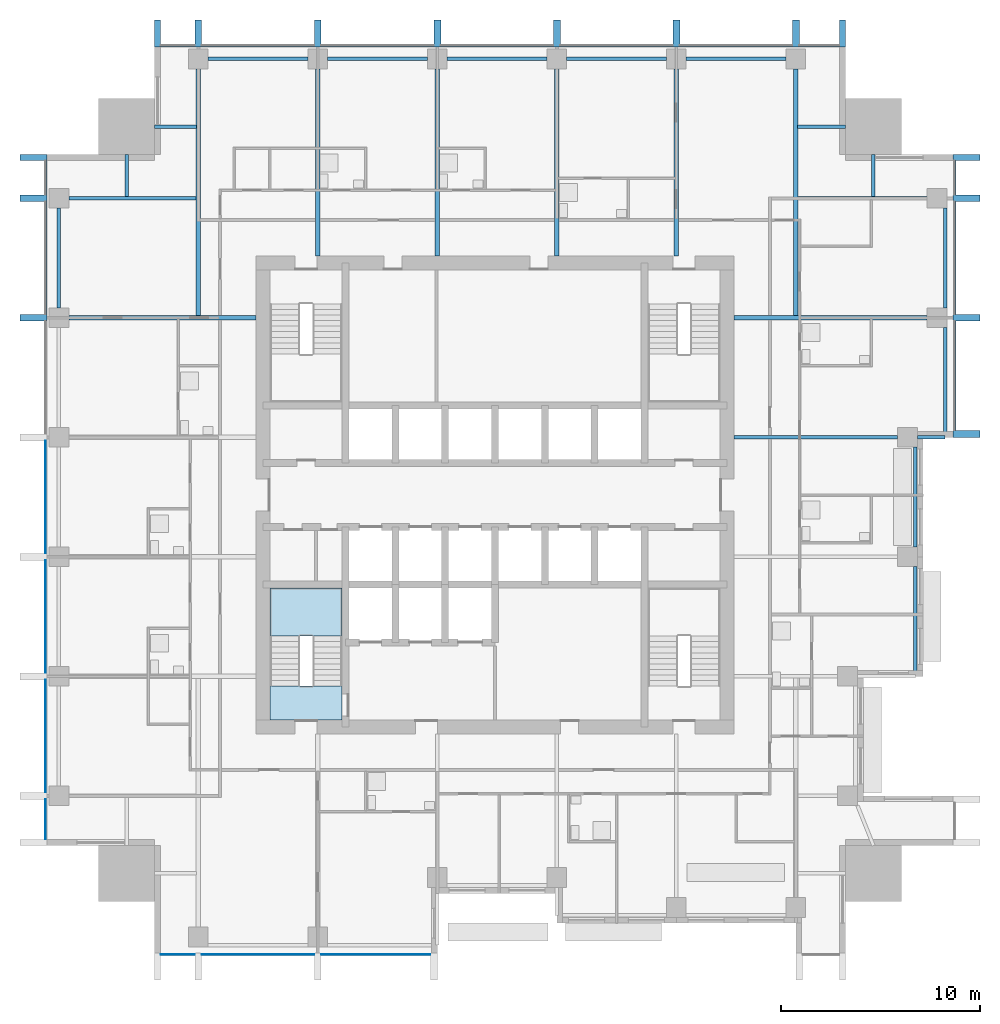
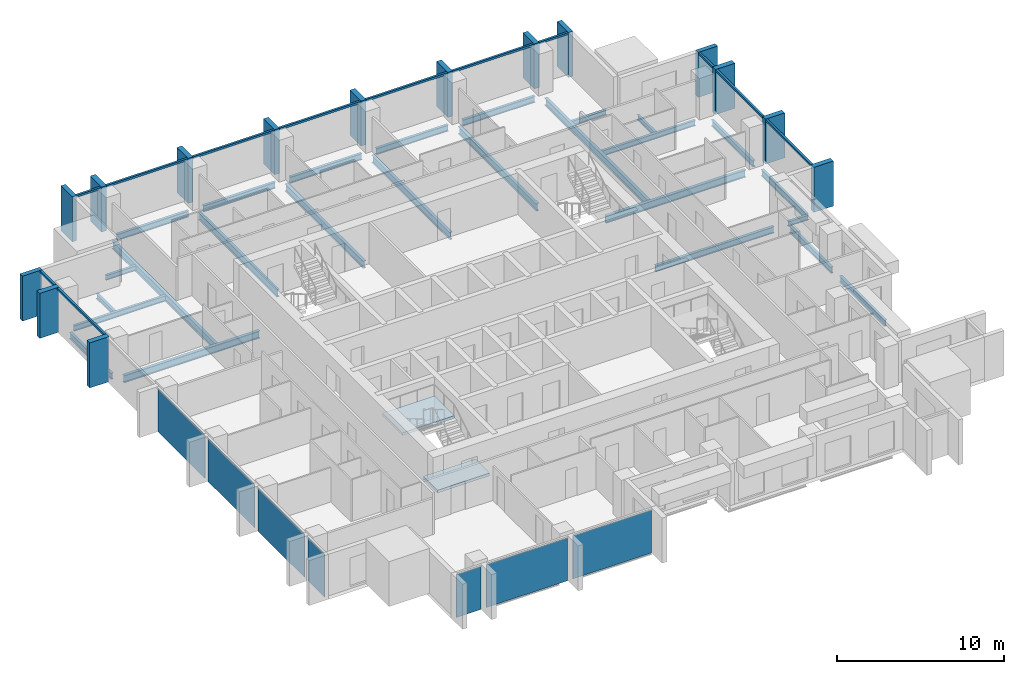
# One storey, part 2 of 10: 27 members, 26 beams, 7 plates, 2 slabs, 5 elements without a shape of their own.
"""IFC4 building model written with IfcOpenShell, lengths in metres."""

from ifc_helpers import new_model, si_unit, direction, frame, origin, origin_2d, place, context, subcontext, project, spatial, polyline, rectangle, i_section, outline, extrude, material, layer, layer_set, material_profile, profile_set, type_object, element, aggregate, save


model = new_model("IFC4")

# Units and contexts
model_context = context("Model", 3, precision=1e-05, world=origin(), true_north=direction((0.0, 1.0)))
body_context = subcontext(model_context, "Body", "Model", "MODEL_VIEW")
ifc_project = project(units=[si_unit("LENGTHUNIT", "METRE"), si_unit("AREAUNIT", "SQUARE_METRE"), si_unit("VOLUMEUNIT", "CUBIC_METRE"), si_unit("PLANEANGLEUNIT", "RADIAN"), si_unit("MASSUNIT", "GRAM", prefix="KILO")], contexts=[model_context])

# Site, building, storey
site_placement = place(None, origin())
site = spatial("IfcSite", under=ifc_project, at=site_placement, CompositionType="ELEMENT")
building_placement = place(site_placement, origin())
building = spatial("IfcBuilding", under=site, at=building_placement, Name="Amberfall Residences", CompositionType="ELEMENT")
storey_placement = place(building_placement, frame((0.0, 0.0, 140.5)))
storey = spatial("IfcBuildingStorey", under=building, at=storey_placement, Name="L37", CompositionType="ELEMENT", Elevation=140.5)

# Curtain wall, members
ifc_material_1 = material(Name="Bronze anodised aluminium and glass", Category="aluminium")
curtain_wall_type = type_object("IfcCurtainWallType", Name="Curtain wall CW1 tower unit", PredefinedType="USERDEFINED", material=ifc_material_1)
curtain_wall_1_placement = place(storey_placement, origin())
curtain_wall_1 = element("IfcCurtainWall", 1, at=curtain_wall_1_placement, inside=storey, type_object=curtain_wall_type, Name="Curtain wall L37 E E8", ObjectType="UNITISED CURTAIN WALL", PredefinedType="USERDEFINED")
ifc_material_2 = material(Name="Bronze anodised aluminium", Category="aluminium")
ifc_material_profile_1 = material_profile(ifc_material_2, rectangle(XDim=0.14990234375, YDim=0.14990234375, at=origin_2d()), Name="CW1 transom 150 x 150 bronze")
ifc_profile_set_1 = profile_set([ifc_material_profile_1], Name="Bronze anodised aluminium")
member_type_1 = type_object("IfcMemberType", Name="CW1 transom 150 x 150 bronze", PredefinedType="USERDEFINED", material=ifc_profile_set_1)
member_1_placement = place(storey_placement, frame((97.574951171875, 48.75, 2.97509765625), z_axis=(0.0, 1.0, 0.0), x_axis=(-1.0, 0.0, 0.0)))
member_1 = element("IfcMember", 2, at=member_1_placement, type_object=member_type_1, Name="CW1 transom 1.1", ObjectType="TRANSOM", PredefinedType="USERDEFINED", context=body_context, shape_type="SweptSolid", body=[
    extrude(rectangle(XDim=0.14990234375, YDim=0.14990234375, at=origin_2d()), origin(), (0.0, 0.0, 1.0), 5.47509765625),
])
member_2_placement = place(storey_placement, frame((97.574951171875, 54.574951171875, 2.97509765625), z_axis=(0.0, 1.0, 0.0), x_axis=(-1.0, 0.0, 0.0)))
member_2 = element("IfcMember", 3, at=member_2_placement, type_object=member_type_1, Name="CW1 transom 2.1", ObjectType="TRANSOM", PredefinedType="USERDEFINED", context=body_context, shape_type="SweptSolid", body=[
    extrude(rectangle(XDim=0.14990234375, YDim=0.14990234375, at=origin_2d()), origin(), (0.0, 0.0, 1.0), 5.650146484375),
])
member_3_placement = place(storey_placement, frame((97.574951171875, 60.574951171875, 2.97509765625), z_axis=(0.0, 1.0, 0.0), x_axis=(-1.0, 0.0, 0.0)))
member_3 = element("IfcMember", 4, at=member_3_placement, type_object=member_type_1, Name="CW1 transom 3.1", ObjectType="TRANSOM", PredefinedType="USERDEFINED", context=body_context, shape_type="SweptSolid", body=[
    extrude(rectangle(XDim=0.14990234375, YDim=0.14990234375, at=origin_2d()), origin(), (0.0, 0.0, 1.0), 1.72509765625),
])

curtain_wall_2_placement = place(storey_placement, origin())
curtain_wall_2 = element("IfcCurtainWall", 5, at=curtain_wall_2_placement, inside=storey, type_object=curtain_wall_type, Name="Curtain wall L37 N N1", ObjectType="UNITISED CURTAIN WALL", PredefinedType="USERDEFINED")
member_4_placement = place(storey_placement, frame((91.800048828125, 68.074951171875, 2.97509765625), z_axis=(-1.0, 0.0, 0.0), x_axis=(0.0, -1.0, 0.0)))
member_4 = element("IfcMember", 6, at=member_4_placement, type_object=member_type_1, Name="CW1 transom 1.1", ObjectType="TRANSOM", PredefinedType="USERDEFINED", context=body_context, shape_type="SweptSolid", body=[
    extrude(rectangle(XDim=0.14990234375, YDim=0.14990234375, at=origin_2d()), origin(), (0.0, 0.0, 1.0), 2.025146484375),
])
member_5_placement = place(storey_placement, frame((89.425048828125, 68.074951171875, 2.97509765625), z_axis=(-1.0, 0.0, 0.0), x_axis=(0.0, -1.0, 0.0)))
member_5 = element("IfcMember", 7, at=member_5_placement, type_object=member_type_1, Name="CW1 transom 2.1", ObjectType="TRANSOM", PredefinedType="USERDEFINED", context=body_context, shape_type="SweptSolid", body=[
    extrude(rectangle(XDim=0.14990234375, YDim=0.14990234375, at=origin_2d()), origin(), (0.0, 0.0, 1.0), 5.650146484375),
])
member_6_placement = place(storey_placement, frame((83.425048828125, 68.074951171875, 2.97509765625), z_axis=(-1.0, 0.0, 0.0), x_axis=(0.0, -1.0, 0.0)))
member_6 = element("IfcMember", 8, at=member_6_placement, type_object=member_type_1, Name="CW1 transom 3.1", ObjectType="TRANSOM", PredefinedType="USERDEFINED", context=body_context, shape_type="SweptSolid", body=[
    extrude(rectangle(XDim=0.14990234375, YDim=0.14990234375, at=origin_2d()), origin(), (0.0, 0.0, 1.0), 5.650146484375),
])
member_7_placement = place(storey_placement, frame((77.425048828125, 68.074951171875, 2.97509765625), z_axis=(-1.0, 0.0, 0.0), x_axis=(0.0, -1.0, 0.0)))
member_7 = element("IfcMember", 9, at=member_7_placement, type_object=member_type_1, Name="CW1 transom 4.1", ObjectType="TRANSOM", PredefinedType="USERDEFINED", context=body_context, shape_type="SweptSolid", body=[
    extrude(rectangle(XDim=0.14990234375, YDim=0.14990234375, at=origin_2d()), origin(), (0.0, 0.0, 1.0), 5.650146484375),
])
member_8_placement = place(storey_placement, frame((71.425048828125, 68.074951171875, 2.97509765625), z_axis=(-1.0, 0.0, 0.0), x_axis=(0.0, -1.0, 0.0)))
member_8 = element("IfcMember", 10, at=member_8_placement, type_object=member_type_1, Name="CW1 transom 5.1", ObjectType="TRANSOM", PredefinedType="USERDEFINED", context=body_context, shape_type="SweptSolid", body=[
    extrude(rectangle(XDim=0.14990234375, YDim=0.14990234375, at=origin_2d()), origin(), (0.0, 0.0, 1.0), 5.650146484375),
])
member_9_placement = place(storey_placement, frame((65.425048828125, 68.074951171875, 2.97509765625), z_axis=(-1.0, 0.0, 0.0), x_axis=(0.0, -1.0, 0.0)))
member_9 = element("IfcMember", 11, at=member_9_placement, type_object=member_type_1, Name="CW1 transom 6.1", ObjectType="TRANSOM", PredefinedType="USERDEFINED", context=body_context, shape_type="SweptSolid", body=[
    extrude(rectangle(XDim=0.14990234375, YDim=0.14990234375, at=origin_2d()), origin(), (0.0, 0.0, 1.0), 5.650146484375),
])
member_10_placement = place(storey_placement, frame((59.425048828125, 68.074951171875, 2.97509765625), z_axis=(-1.0, 0.0, 0.0), x_axis=(0.0, -1.0, 0.0)))
member_10 = element("IfcMember", 12, at=member_10_placement, type_object=member_type_1, Name="CW1 transom 7.1", ObjectType="TRANSOM", PredefinedType="USERDEFINED", context=body_context, shape_type="SweptSolid", body=[
    extrude(rectangle(XDim=0.14990234375, YDim=0.14990234375, at=origin_2d()), origin(), (0.0, 0.0, 1.0), 1.72509765625),
])

curtain_wall_3_placement = place(storey_placement, origin())
curtain_wall_3 = element("IfcCurtainWall", 13, at=curtain_wall_3_placement, inside=storey, type_object=curtain_wall_type, Name="Curtain wall L37 W W1", ObjectType="UNITISED CURTAIN WALL", PredefinedType="USERDEFINED")
member_11_placement = place(storey_placement, frame((51.925048828125, 62.300048828125, 2.97509765625), z_axis=(0.0, -1.0, 0.0), x_axis=(1.0, 0.0, 0.0)))
member_11 = element("IfcMember", 14, at=member_11_placement, type_object=member_type_1, Name="CW1 transom 1.1", ObjectType="TRANSOM", PredefinedType="USERDEFINED", context=body_context, shape_type="SweptSolid", body=[
    extrude(rectangle(XDim=0.14990234375, YDim=0.14990234375, at=origin_2d()), origin(), (0.0, 0.0, 1.0), 1.72509765625),
])
member_12_placement = place(storey_placement, frame((51.925048828125, 60.22509765625, 2.97509765625), z_axis=(0.0, -1.0, 0.0), x_axis=(1.0, 0.0, 0.0)))
member_12 = element("IfcMember", 15, at=member_12_placement, type_object=member_type_1, Name="CW1 transom 2.1", ObjectType="TRANSOM", PredefinedType="USERDEFINED", context=body_context, shape_type="SweptSolid", body=[
    extrude(rectangle(XDim=0.14990234375, YDim=0.14990234375, at=origin_2d()), origin(), (0.0, 0.0, 1.0), 5.650146484375),
])

# Beam
ifc_material_3 = material(Name="Steel S355", Category="steel")
ifc_material_profile_2 = material_profile(ifc_material_3, i_section(OverallWidth=0.171142578125, OverallDepth=0.351318359375, WebThickness=0.007080078125, FlangeThickness=0.009765625, FilletRadius=0.01025390625, at=origin_2d()), Name="UB 356x171x45")
ifc_profile_set_2 = profile_set([ifc_material_profile_2], Name="Steel S355")
beam_type_1 = type_object("IfcBeamType", Name="Cantilever girder UB 356x171x45", PredefinedType="BEAM", material=ifc_profile_set_2)
beam_1_placement = place(storey_placement, frame((95.699951171875, 48.39990234375, -0.42578125), z_axis=(1.0, 0.0, 0.0), x_axis=(0.0, 1.0, 0.0)))
element("IfcBeam", 16, at=beam_1_placement, inside=storey, type_object=beam_type_1, Name="Cantilever girder B8 L37 20", PredefinedType="BEAM", context=body_context, shape_type="SweptSolid", body=[
    extrude(i_section(OverallWidth=0.171142578125, OverallDepth=0.351318359375, WebThickness=0.007080078125, FlangeThickness=0.009765625, FilletRadius=0.01025390625, at=origin_2d()), origin(), (0.0, 0.0, 1.0), 1.400146484375),
])

# Member
ifc_material_profile_3 = material_profile(ifc_material_2, rectangle(XDim=1.35009765625, YDim=0.300048828125, at=origin_2d()), Name="Corner fin 300 x 1350 bronze")
ifc_profile_set_3 = profile_set([ifc_material_profile_3], Name="Bronze anodised aluminium")
member_type_2 = type_object("IfcMemberType", Name="Corner fin 300 x 1350 bronze", PredefinedType="MULLION", material=ifc_profile_set_3)
member_13_placement = place(storey_placement, frame((98.175048828125, 62.449951171875, -0.25), z_axis=(0.0, 0.0, 1.0), x_axis=(-1.0, 0.0, 0.0)))
member_13 = element("IfcMember", 17, at=member_13_placement, type_object=member_type_2, Name="CW FIN 4", PredefinedType="MULLION", context=body_context, shape_type="SweptSolid", body=[
    extrude(rectangle(XDim=1.35009765625, YDim=0.300048828125, at=origin_2d()), origin(), (0.0, 0.0, 1.0), 3.300048828125),
])

member_14_placement = place(storey_placement, frame((91.949951171875, 68.675048828125, -0.25), z_axis=(0.0, 0.0, 1.0), x_axis=(0.0, -1.0, 0.0)))
member_14 = element("IfcMember", 18, at=member_14_placement, type_object=member_type_2, Name="CW FIN 1", PredefinedType="MULLION", context=body_context, shape_type="SweptSolid", body=[
    extrude(rectangle(XDim=1.35009765625, YDim=0.300048828125, at=origin_2d()), origin(), (0.0, 0.0, 1.0), 3.300048828125),
])

member_15_placement = place(storey_placement, frame((57.550048828125, 68.675048828125, -0.25), z_axis=(0.0, 0.0, 1.0), x_axis=(0.0, -1.0, 0.0)))
member_15 = element("IfcMember", 19, at=member_15_placement, type_object=member_type_2, Name="CW FIN 8", PredefinedType="MULLION", context=body_context, shape_type="SweptSolid", body=[
    extrude(rectangle(XDim=1.35009765625, YDim=0.300048828125, at=origin_2d()), origin(), (0.0, 0.0, 1.0), 3.300048828125),
])

member_16_placement = place(storey_placement, frame((51.324951171875, 62.449951171875, -0.25), z_axis=(0.0, 0.0, 1.0), x_axis=(1.0, 0.0, 0.0)))
member_16 = element("IfcMember", 20, at=member_16_placement, type_object=member_type_2, Name="CW FIN 1", PredefinedType="MULLION", context=body_context, shape_type="SweptSolid", body=[
    extrude(rectangle(XDim=1.35009765625, YDim=0.300048828125, at=origin_2d()), origin(), (0.0, 0.0, 1.0), 3.300048828125),
])

# Beams
ifc_material_profile_4 = material_profile(ifc_material_3, i_section(OverallWidth=0.18994140625, OverallDepth=0.453369140625, WebThickness=0.008544921875, FlangeThickness=0.0126953125, FilletRadius=0.01025390625, at=origin_2d()), Name="UB 457x191x67")
ifc_profile_set_4 = profile_set([ifc_material_profile_4], Name="Steel S355")
beam_type_2 = type_object("IfcBeamType", Name="Edge beam UB 457x191x67", PredefinedType="SPANDREL", material=ifc_profile_set_4)
beam_2_placement = place(storey_placement, frame((95.60009765625, 36.47998046875, -0.476806640625), z_axis=(0.0, 1.0, 0.0), x_axis=(-1.0, 0.0, 0.0)))
element("IfcBeam", 21, at=beam_2_placement, inside=storey, type_object=beam_type_2, Name="Edge beam B1 L37 15", PredefinedType="SPANDREL", context=body_context, shape_type="SweptSolid", body=[
    extrude(i_section(OverallWidth=0.18994140625, OverallDepth=0.453369140625, WebThickness=0.008544921875, FlangeThickness=0.0126953125, FilletRadius=0.01025390625, at=origin_2d()), origin(), (0.0, 0.0, 1.0), 5.419921875),
])
beam_3_placement = place(storey_placement, frame((95.60009765625, 42.89990234375, -0.476806640625), z_axis=(0.0, 1.0, 0.0), x_axis=(-1.0, 0.0, 0.0)))
element("IfcBeam", 22, at=beam_3_placement, inside=storey, type_object=beam_type_2, Name="Edge beam B1 L37 16", PredefinedType="SPANDREL", context=body_context, shape_type="SweptSolid", body=[
    extrude(i_section(OverallWidth=0.18994140625, OverallDepth=0.453369140625, WebThickness=0.008544921875, FlangeThickness=0.0126953125, FilletRadius=0.01025390625, at=origin_2d()), origin(), (0.0, 0.0, 1.0), 5.0),
])
beam_4_placement = place(storey_placement, frame((97.10009765625, 48.47998046875, -0.476806640625), z_axis=(0.0, 1.0, 0.0), x_axis=(-1.0, 0.0, 0.0)))
element("IfcBeam", 23, at=beam_4_placement, inside=storey, type_object=beam_type_2, Name="Edge beam B1 L37 17", PredefinedType="SPANDREL", context=body_context, shape_type="SweptSolid", body=[
    extrude(i_section(OverallWidth=0.18994140625, OverallDepth=0.453369140625, WebThickness=0.008544921875, FlangeThickness=0.0126953125, FilletRadius=0.01025390625, at=origin_2d()), origin(), (0.0, 0.0, 1.0), 5.419921875),
])
for number, where, z_axis, x_axis, name in (
    (24, (97.10009765625, 54.89990234375, -0.476806640625), (0.0, 1.0, 0.0), (-1.0, 0.0, 0.0), "Edge beam B1 L37 18"),
    (25, (60.10009765625, 67.39990234375, -0.476806640625), (1.0, 0.0, 0.0), (0.0, 1.0, 0.0), "Edge beam B1 L37 27"),
    (26, (66.10009765625, 67.39990234375, -0.476806640625), (1.0, 0.0, 0.0), (0.0, 1.0, 0.0), "Edge beam B1 L37 28"),
    (27, (72.10009765625, 67.39990234375, -0.476806640625), (1.0, 0.0, 0.0), (0.0, 1.0, 0.0), "Edge beam B1 L37 29"),
    (28, (78.10009765625, 67.39990234375, -0.476806640625), (1.0, 0.0, 0.0), (0.0, 1.0, 0.0), "Edge beam B1 L37 30"),
    (29, (84.10009765625, 67.39990234375, -0.476806640625), (1.0, 0.0, 0.0), (0.0, 1.0, 0.0), "Edge beam B1 L37 31"),
    (30, (52.60009765625, 54.89990234375, -0.476806640625), (0.0, 1.0, 0.0), (-1.0, 0.0, 0.0), "Edge beam B1 L37 42"),
):
    element("IfcBeam", number, at=place(storey_placement, frame(where, z_axis=z_axis, x_axis=x_axis)), inside=storey, type_object=beam_type_2, Name=name, PredefinedType="SPANDREL", context=body_context, shape_type="SweptSolid", body=[
        extrude(i_section(OverallWidth=0.18994140625, OverallDepth=0.453369140625, WebThickness=0.008544921875, FlangeThickness=0.0126953125, FilletRadius=0.01025390625, at=origin_2d()), origin(), (0.0, 0.0, 1.0), 5.0),
    ])

# Member
ifc_material_profile_5 = material_profile(ifc_material_2, rectangle(XDim=1.35009765625, YDim=0.35009765625, at=origin_2d()), Name="Fin 350 x 1350 bronze")
ifc_profile_set_5 = profile_set([ifc_material_profile_5], Name="Bronze anodised aluminium")
member_type_3 = type_object("IfcMemberType", Name="Fin 350 x 1350 bronze", PredefinedType="MULLION", material=ifc_profile_set_5)
member_17_placement = place(storey_placement, frame((98.175048828125, 48.574951171875, -0.25), z_axis=(0.0, 0.0, 1.0), x_axis=(-1.0, 0.0, 0.0)))
member_17 = element("IfcMember", 31, at=member_17_placement, type_object=member_type_3, Name="CW FIN 1", PredefinedType="MULLION", context=body_context, shape_type="SweptSolid", body=[
    extrude(rectangle(XDim=1.35009765625, YDim=0.35009765625, at=origin_2d()), origin(), (0.0, 0.0, 1.0), 3.300048828125),
])

member_18_placement = place(storey_placement, frame((98.175048828125, 54.39990234375, -0.25), z_axis=(0.0, 0.0, 1.0), x_axis=(-1.0, 0.0, 0.0)))
member_18 = element("IfcMember", 32, at=member_18_placement, type_object=member_type_3, Name="CW FIN 2", PredefinedType="MULLION", context=body_context, shape_type="SweptSolid", body=[
    extrude(rectangle(XDim=1.35009765625, YDim=0.35009765625, at=origin_2d()), origin(), (0.0, 0.0, 1.0), 3.300048828125),
])

member_19_placement = place(storey_placement, frame((98.175048828125, 60.39990234375, -0.25), z_axis=(0.0, 0.0, 1.0), x_axis=(-1.0, 0.0, 0.0)))
member_19 = element("IfcMember", 33, at=member_19_placement, type_object=member_type_3, Name="CW FIN 3", PredefinedType="MULLION", context=body_context, shape_type="SweptSolid", body=[
    extrude(rectangle(XDim=1.35009765625, YDim=0.35009765625, at=origin_2d()), origin(), (0.0, 0.0, 1.0), 3.300048828125),
])

aggregate(curtain_wall_1, [member_17, member_18, member_19, member_13, member_1, member_2, member_3])

member_20_placement = place(storey_placement, frame((89.60009765625, 68.675048828125, -0.25), z_axis=(0.0, 0.0, 1.0), x_axis=(0.0, -1.0, 0.0)))
member_20 = element("IfcMember", 34, at=member_20_placement, type_object=member_type_3, Name="CW FIN 2", PredefinedType="MULLION", context=body_context, shape_type="SweptSolid", body=[
    extrude(rectangle(XDim=1.35009765625, YDim=0.35009765625, at=origin_2d()), origin(), (0.0, 0.0, 1.0), 3.300048828125),
])

member_21_placement = place(storey_placement, frame((83.60009765625, 68.675048828125, -0.25), z_axis=(0.0, 0.0, 1.0), x_axis=(0.0, -1.0, 0.0)))
member_21 = element("IfcMember", 35, at=member_21_placement, type_object=member_type_3, Name="CW FIN 3", PredefinedType="MULLION", context=body_context, shape_type="SweptSolid", body=[
    extrude(rectangle(XDim=1.35009765625, YDim=0.35009765625, at=origin_2d()), origin(), (0.0, 0.0, 1.0), 3.300048828125),
])

member_22_placement = place(storey_placement, frame((77.60009765625, 68.675048828125, -0.25), z_axis=(0.0, 0.0, 1.0), x_axis=(0.0, -1.0, 0.0)))
member_22 = element("IfcMember", 36, at=member_22_placement, type_object=member_type_3, Name="CW FIN 4", PredefinedType="MULLION", context=body_context, shape_type="SweptSolid", body=[
    extrude(rectangle(XDim=1.35009765625, YDim=0.35009765625, at=origin_2d()), origin(), (0.0, 0.0, 1.0), 3.300048828125),
])

member_23_placement = place(storey_placement, frame((71.60009765625, 68.675048828125, -0.25), z_axis=(0.0, 0.0, 1.0), x_axis=(0.0, -1.0, 0.0)))
member_23 = element("IfcMember", 37, at=member_23_placement, type_object=member_type_3, Name="CW FIN 5", PredefinedType="MULLION", context=body_context, shape_type="SweptSolid", body=[
    extrude(rectangle(XDim=1.35009765625, YDim=0.35009765625, at=origin_2d()), origin(), (0.0, 0.0, 1.0), 3.300048828125),
])

member_24_placement = place(storey_placement, frame((65.60009765625, 68.675048828125, -0.25), z_axis=(0.0, 0.0, 1.0), x_axis=(0.0, -1.0, 0.0)))
member_24 = element("IfcMember", 38, at=member_24_placement, type_object=member_type_3, Name="CW FIN 6", PredefinedType="MULLION", context=body_context, shape_type="SweptSolid", body=[
    extrude(rectangle(XDim=1.35009765625, YDim=0.35009765625, at=origin_2d()), origin(), (0.0, 0.0, 1.0), 3.300048828125),
])

member_25_placement = place(storey_placement, frame((59.60009765625, 68.675048828125, -0.25), z_axis=(0.0, 0.0, 1.0), x_axis=(0.0, -1.0, 0.0)))
member_25 = element("IfcMember", 39, at=member_25_placement, type_object=member_type_3, Name="CW FIN 7", PredefinedType="MULLION", context=body_context, shape_type="SweptSolid", body=[
    extrude(rectangle(XDim=1.35009765625, YDim=0.35009765625, at=origin_2d()), origin(), (0.0, 0.0, 1.0), 3.300048828125),
])

aggregate(curtain_wall_2, [member_14, member_20, member_21, member_22, member_23, member_24, member_25, member_15, member_4, member_5, member_6, member_7, member_8, member_9, member_10])

member_26_placement = place(storey_placement, frame((51.324951171875, 60.39990234375, -0.25), z_axis=(0.0, 0.0, 1.0), x_axis=(1.0, 0.0, 0.0)))
member_26 = element("IfcMember", 40, at=member_26_placement, type_object=member_type_3, Name="CW FIN 2", PredefinedType="MULLION", context=body_context, shape_type="SweptSolid", body=[
    extrude(rectangle(XDim=1.35009765625, YDim=0.35009765625, at=origin_2d()), origin(), (0.0, 0.0, 1.0), 3.300048828125),
])

member_27_placement = place(storey_placement, frame((51.324951171875, 54.39990234375, -0.25), z_axis=(0.0, 0.0, 1.0), x_axis=(1.0, 0.0, 0.0)))
member_27 = element("IfcMember", 41, at=member_27_placement, type_object=member_type_3, Name="CW FIN 3", PredefinedType="MULLION", context=body_context, shape_type="SweptSolid", body=[
    extrude(rectangle(XDim=1.35009765625, YDim=0.35009765625, at=origin_2d()), origin(), (0.0, 0.0, 1.0), 3.300048828125),
])

# Beams
ifc_material_profile_6 = material_profile(ifc_material_3, i_section(OverallWidth=0.177734375, OverallDepth=0.402587890625, WebThickness=0.0078125, FlangeThickness=0.010986328125, FilletRadius=0.01025390625, at=origin_2d()), Name="UB 406x178x54")
ifc_profile_set_6 = profile_set([ifc_material_profile_6], Name="Steel S355")
beam_type_3 = type_object("IfcBeamType", Name="Floor girder UB 406x178x54", PredefinedType="BEAM", material=ifc_profile_set_6)
beam_5_placement = place(storey_placement, frame((96.199951171875, 60.39990234375, -0.451416015625), z_axis=(-1.0, 0.0, 0.0), x_axis=(0.0, -1.0, 0.0)))
element("IfcBeam", 42, at=beam_5_placement, inside=storey, type_object=beam_type_3, Name="Floor girder B4 L37 26", PredefinedType="BEAM", context=body_context, shape_type="SweptSolid", body=[
    extrude(i_section(OverallWidth=0.177734375, OverallDepth=0.402587890625, WebThickness=0.0078125, FlangeThickness=0.010986328125, FilletRadius=0.01025390625, at=origin_2d()), origin(), (0.0, 0.0, 1.0), 6.47998046875),
])
beam_6_placement = place(storey_placement, frame((53.10009765625, 60.39990234375, -0.451416015625), z_axis=(1.0, 0.0, 0.0), x_axis=(0.0, 1.0, 0.0)))
element("IfcBeam", 43, at=beam_6_placement, inside=storey, type_object=beam_type_3, Name="Floor girder B4 L37 48", PredefinedType="BEAM", context=body_context, shape_type="SweptSolid", body=[
    extrude(i_section(OverallWidth=0.177734375, OverallDepth=0.402587890625, WebThickness=0.0078125, FlangeThickness=0.010986328125, FilletRadius=0.01025390625, at=origin_2d()), origin(), (0.0, 0.0, 1.0), 6.3798828125),
])
ifc_material_profile_7 = material_profile(ifc_material_3, i_section(OverallWidth=0.19140625, OverallDepth=0.4599609375, WebThickness=0.010009765625, FlangeThickness=0.01611328125, FilletRadius=0.01025390625, at=origin_2d()), Name="UB 457x191x82")
ifc_profile_set_7 = profile_set([ifc_material_profile_7], Name="Steel S355")
beam_type_4 = type_object("IfcBeamType", Name="Floor girder UB 457x191x82", PredefinedType="BEAM", material=ifc_profile_set_7)
beam_7_placement = place(storey_placement, frame((94.699951171875, 48.39990234375, -0.47998046875), z_axis=(-1.0, 0.0, 0.0), x_axis=(0.0, -1.0, 0.0)))
element("IfcBeam", 44, at=beam_7_placement, inside=storey, type_object=beam_type_4, Name="Floor girder B10 L37 24", PredefinedType="BEAM", context=body_context, shape_type="SweptSolid", body=[
    extrude(i_section(OverallWidth=0.19140625, OverallDepth=0.4599609375, WebThickness=0.010009765625, FlangeThickness=0.01611328125, FilletRadius=0.01025390625, at=origin_2d()), origin(), (0.0, 0.0, 1.0), 8.199951171875),
])
ifc_material_profile_8 = material_profile(ifc_material_3, i_section(OverallWidth=0.210693359375, OverallDepth=0.53955078125, WebThickness=0.01171875, FlangeThickness=0.018798828125, FilletRadius=0.0126953125, at=origin_2d()), Name="UB 533x210x109")
ifc_profile_set_8 = profile_set([ifc_material_profile_8], Name="Steel S355")
beam_type_5 = type_object("IfcBeamType", Name="Floor girder UB 533x210x109", PredefinedType="BEAM", material=ifc_profile_set_8)
for number, where, z_axis, x_axis, name in (
    (45, (59.60009765625, 66.89990234375, -0.519775390625), (0.0, -1.0, 0.0), (1.0, 0.0, 0.0), "Floor girder B2 L37 32"),
    (46, (89.60009765625, 66.89990234375, -0.519775390625), (0.0, -1.0, 0.0), (1.0, 0.0, 0.0), "Floor girder B2 L37 37"),
):
    element("IfcBeam", number, at=place(storey_placement, frame(where, z_axis=z_axis, x_axis=x_axis)), inside=storey, type_object=beam_type_5, Name=name, PredefinedType="BEAM", context=body_context, shape_type="SweptSolid", body=[
        extrude(i_section(OverallWidth=0.210693359375, OverallDepth=0.53955078125, WebThickness=0.01171875, FlangeThickness=0.018798828125, FilletRadius=0.0126953125, at=origin_2d()), origin(), (0.0, 0.0, 1.0), 12.400390625),
    ])
ifc_material_profile_9 = material_profile(ifc_material_3, i_section(OverallWidth=0.209228515625, OverallDepth=0.533203125, WebThickness=0.010009765625, FlangeThickness=0.015625, FilletRadius=0.0126953125, at=origin_2d()), Name="UB 533x210x92")
ifc_profile_set_9 = profile_set([ifc_material_profile_9], Name="Steel S355")
beam_type_6 = type_object("IfcBeamType", Name="Floor girder UB 533x210x92", PredefinedType="BEAM", material=ifc_profile_set_9)
beam_8_placement = place(storey_placement, frame((96.199951171875, 54.39990234375, -0.5166015625), z_axis=(-1.0, 0.0, 0.0), x_axis=(0.0, -1.0, 0.0)))
element("IfcBeam", 47, at=beam_8_placement, inside=storey, type_object=beam_type_6, Name="Floor girder B3 L37 25", PredefinedType="BEAM", context=body_context, shape_type="SweptSolid", body=[
    extrude(i_section(OverallWidth=0.209228515625, OverallDepth=0.533203125, WebThickness=0.010009765625, FlangeThickness=0.015625, FilletRadius=0.0126953125, at=origin_2d()), origin(), (0.0, 0.0, 1.0), 9.699951171875),
])
for number, where, z_axis, x_axis, name in (
    (48, (65.60009765625, 66.89990234375, -0.5166015625), (0.0, -1.0, 0.0), (1.0, 0.0, 0.0), "Floor girder B3 L37 33"),
    (49, (71.60009765625, 66.89990234375, -0.5166015625), (0.0, -1.0, 0.0), (1.0, 0.0, 0.0), "Floor girder B3 L37 34"),
    (50, (77.60009765625, 66.89990234375, -0.5166015625), (0.0, -1.0, 0.0), (1.0, 0.0, 0.0), "Floor girder B3 L37 35"),
    (51, (83.60009765625, 66.89990234375, -0.5166015625), (0.0, -1.0, 0.0), (1.0, 0.0, 0.0), "Floor girder B3 L37 36"),
    (52, (53.10009765625, 54.39990234375, -0.5166015625), (1.0, 0.0, 0.0), (0.0, 1.0, 0.0), "Floor girder B3 L37 47"),
):
    element("IfcBeam", number, at=place(storey_placement, frame(where, z_axis=z_axis, x_axis=x_axis)), inside=storey, type_object=beam_type_6, Name=name, PredefinedType="BEAM", context=body_context, shape_type="SweptSolid", body=[
        extrude(i_section(OverallWidth=0.209228515625, OverallDepth=0.533203125, WebThickness=0.010009765625, FlangeThickness=0.015625, FilletRadius=0.0126953125, at=origin_2d()), origin(), (0.0, 0.0, 1.0), 9.39990234375),
    ])
ifc_material_profile_10 = material_profile(ifc_material_3, i_section(OverallWidth=0.171142578125, OverallDepth=0.351318359375, WebThickness=0.007080078125, FlangeThickness=0.009765625, FilletRadius=0.01025390625, at=origin_2d()), Name="UB 356x171x45")
ifc_profile_set_10 = profile_set([ifc_material_profile_10], Name="Steel S355")
beam_type_7 = type_object("IfcBeamType", Name="Link beam UB 356x171x45", PredefinedType="BEAM", material=ifc_profile_set_10)
beam_9_placement = place(storey_placement, frame((92.10009765625, 64.0, -0.42578125), z_axis=(-1.0, 0.0, 0.0), x_axis=(0.0, -1.0, 0.0)))
element("IfcBeam", 53, at=beam_9_placement, inside=storey, type_object=beam_type_7, Name="Link beam B7 L37 53", PredefinedType="BEAM", context=body_context, shape_type="SweptSolid", body=[
    extrude(i_section(OverallWidth=0.171142578125, OverallDepth=0.351318359375, WebThickness=0.007080078125, FlangeThickness=0.009765625, FilletRadius=0.01025390625, at=origin_2d()), origin(), (0.0, 0.0, 1.0), 2.40478515625),
])
beam_10_placement = place(storey_placement, frame((93.5, 62.60009765625, -0.42578125), z_axis=(0.0, -1.0, 0.0), x_axis=(1.0, 0.0, 0.0)))
element("IfcBeam", 54, at=beam_10_placement, inside=storey, type_object=beam_type_7, Name="Link beam B7 L37 54", PredefinedType="BEAM", context=body_context, shape_type="SweptSolid", body=[
    extrude(i_section(OverallWidth=0.171142578125, OverallDepth=0.351318359375, WebThickness=0.007080078125, FlangeThickness=0.009765625, FilletRadius=0.01025390625, at=origin_2d()), origin(), (0.0, 0.0, 1.0), 2.12109375),
])
beam_11_placement = place(storey_placement, frame((57.39990234375, 64.0, -0.42578125), z_axis=(1.0, 0.0, 0.0), x_axis=(0.0, 1.0, 0.0)))
element("IfcBeam", 55, at=beam_11_placement, inside=storey, type_object=beam_type_7, Name="Link beam B7 L37 55", PredefinedType="BEAM", context=body_context, shape_type="SweptSolid", body=[
    extrude(i_section(OverallWidth=0.171142578125, OverallDepth=0.351318359375, WebThickness=0.007080078125, FlangeThickness=0.009765625, FilletRadius=0.01025390625, at=origin_2d()), origin(), (0.0, 0.0, 1.0), 2.104736328125),
])
beam_12_placement = place(storey_placement, frame((56.0, 62.60009765625, -0.42578125), z_axis=(0.0, -1.0, 0.0), x_axis=(1.0, 0.0, 0.0)))
element("IfcBeam", 56, at=beam_12_placement, inside=storey, type_object=beam_type_7, Name="Link beam B7 L37 56", PredefinedType="BEAM", context=body_context, shape_type="SweptSolid", body=[
    extrude(i_section(OverallWidth=0.171142578125, OverallDepth=0.351318359375, WebThickness=0.007080078125, FlangeThickness=0.009765625, FilletRadius=0.01025390625, at=origin_2d()), origin(), (0.0, 0.0, 1.0), 2.12109375),
])

# Curtain wall, plates
curtain_wall_4_placement = place(storey_placement, origin())
curtain_wall_4 = element("IfcCurtainWall", 57, at=curtain_wall_4_placement, inside=storey, type_object=curtain_wall_type, Name="Curtain wall L37 S S1", ObjectType="UNITISED CURTAIN WALL", PredefinedType="USERDEFINED")
ifc_material_4 = material(Name="Tinted double glazed unit", Category="glass")
ifc_layer_1 = layer(ifc_material_4, 0.035888671875)
ifc_layer_set_1 = layer_set([ifc_layer_1], Name="CW1 panel 36 glazing")
plate_type = type_object("IfcPlateType", Name="CW1 panel 36 glazing", PredefinedType="CURTAIN_PANEL", material=ifc_layer_set_1)
plate_1_placement = place(storey_placement, frame((58.5625, 22.425048828125, -0.25), z_axis=(0.0, 0.0, 1.0), x_axis=(1.0, 0.0, 0.0)))
plate_1 = element("IfcPlate", 58, at=plate_1_placement, type_object=plate_type, Name="CW1 panel 1.1", PredefinedType="CURTAIN_PANEL", context=body_context, shape_type="SweptSolid", body=[
    extrude(rectangle(XDim=1.700927734375, YDim=0.035888671875, at=origin_2d()), origin(), (0.0, 0.0, 1.0), 3.14990234375),
])
plate_2_placement = place(storey_placement, frame((62.60009765625, 22.425048828125, -0.25), z_axis=(0.0, 0.0, 1.0), x_axis=(1.0, 0.0, 0.0)))
plate_2 = element("IfcPlate", 59, at=plate_2_placement, type_object=plate_type, Name="CW1 panel 2.1", PredefinedType="CURTAIN_PANEL", context=body_context, shape_type="SweptSolid", body=[
    extrude(rectangle(XDim=5.6259765625, YDim=0.035888671875, at=origin_2d()), origin(), (0.0, 0.0, 1.0), 3.14990234375),
])
plate_3_placement = place(storey_placement, frame((68.512451171875, 22.425048828125, -0.25), z_axis=(0.0, 0.0, 1.0), x_axis=(1.0, 0.0, 0.0)))
plate_3 = element("IfcPlate", 60, at=plate_3_placement, type_object=plate_type, Name="CW1 panel 3.1", PredefinedType="CURTAIN_PANEL", context=body_context, shape_type="SweptSolid", body=[
    extrude(rectangle(XDim=5.450927734375, YDim=0.035888671875, at=origin_2d()), origin(), (0.0, 0.0, 1.0), 3.14990234375),
])
aggregate(curtain_wall_4, [plate_1, plate_2, plate_3])

# Plate
plate_4_placement = place(storey_placement, frame((51.925048828125, 45.39990234375, -0.25), z_axis=(0.0, 0.0, 1.0), x_axis=(0.0, -1.0, 0.0)))
plate_4 = element("IfcPlate", 61, at=plate_4_placement, type_object=plate_type, Name="CW1 panel 4.1", PredefinedType="CURTAIN_PANEL", context=body_context, shape_type="SweptSolid", body=[
    extrude(rectangle(XDim=5.6259765625, YDim=0.035888671875, at=origin_2d()), origin(), (0.0, 0.0, 1.0), 3.14990234375),
])

plate_5_placement = place(storey_placement, frame((51.925048828125, 39.39990234375, -0.25), z_axis=(0.0, 0.0, 1.0), x_axis=(0.0, -1.0, 0.0)))
plate_5 = element("IfcPlate", 62, at=plate_5_placement, type_object=plate_type, Name="CW1 panel 5.1", PredefinedType="CURTAIN_PANEL", context=body_context, shape_type="SweptSolid", body=[
    extrude(rectangle(XDim=5.6259765625, YDim=0.035888671875, at=origin_2d()), origin(), (0.0, 0.0, 1.0), 3.14990234375),
])

plate_6_placement = place(storey_placement, frame((51.925048828125, 33.39990234375, -0.25), z_axis=(0.0, 0.0, 1.0), x_axis=(0.0, -1.0, 0.0)))
plate_6 = element("IfcPlate", 63, at=plate_6_placement, type_object=plate_type, Name="CW1 panel 6.1", PredefinedType="CURTAIN_PANEL", context=body_context, shape_type="SweptSolid", body=[
    extrude(rectangle(XDim=5.6259765625, YDim=0.035888671875, at=origin_2d()), origin(), (0.0, 0.0, 1.0), 3.14990234375),
])

plate_7_placement = place(storey_placement, frame((51.925048828125, 29.21240234375, -0.25), z_axis=(0.0, 0.0, 1.0), x_axis=(0.0, -1.0, 0.0)))
plate_7 = element("IfcPlate", 64, at=plate_7_placement, type_object=plate_type, Name="CW1 panel 7.1", PredefinedType="CURTAIN_PANEL", context=body_context, shape_type="SweptSolid", body=[
    extrude(rectangle(XDim=2.0009765625, YDim=0.035888671875, at=origin_2d()), origin(), (0.0, 0.0, 1.0), 3.14990234375),
])

aggregate(curtain_wall_3, [member_16, member_26, member_27, member_11, member_12, plate_4, plate_5, plate_6, plate_7])

# Stair, slabs
ifc_material_5 = material(Name="Concrete C40", Category="concrete")
stair_type = type_object("IfcStairType", Name="Exit stair 20 risers 165.0 mm", PredefinedType="HALF_TURN_STAIR", material=ifc_material_5)
stair_placement = place(storey_placement, origin())
stair = element("IfcStair", 65, at=stair_placement, inside=storey, type_object=stair_type, Name="L37 Exit stair 1", PredefinedType="HALF_TURN_STAIR")
ifc_layer_2 = layer(ifc_material_5, 0.199951171875)
ifc_layer_set_2 = layer_set([ifc_layer_2], Name="Stair landing 200")
slab_type = type_object("IfcSlabType", Name="Stair landing 200", PredefinedType="LANDING", material=ifc_layer_set_2)
slab_1_placement = place(storey_placement, frame((0.0, 0.0, 1.449951171875)))
slab_1 = element("IfcSlab", 66, at=slab_1_placement, type_object=slab_type, Name="ST3 landing 1", PredefinedType="LANDING", context=body_context, shape_type="SweptSolid", body=[
    extrude(outline(polyline([(66.824951171875, 38.419921875), (66.824951171875, 40.824951171875), (63.199951171875, 40.824951171875), (63.199951171875, 38.419921875), (66.824951171875, 38.419921875)])), origin(), (0.0, 0.0, 1.0), 0.199951171875),
])
slab_2_placement = place(storey_placement, frame((0.0, 0.0, -0.199951171875)))
slab_2 = element("IfcSlab", 67, at=slab_2_placement, type_object=slab_type, Name="ST3 landing 2", PredefinedType="LANDING", context=body_context, shape_type="SweptSolid", body=[
    extrude(outline(polyline([(66.824951171875, 34.199951171875), (66.824951171875, 35.89990234375), (63.199951171875, 35.89990234375), (63.199951171875, 34.199951171875), (66.824951171875, 34.199951171875)])), origin(), (0.0, 0.0, 1.0), 0.199951171875),
])
aggregate(stair, [slab_1, slab_2])

save(model, "model.ifc")
